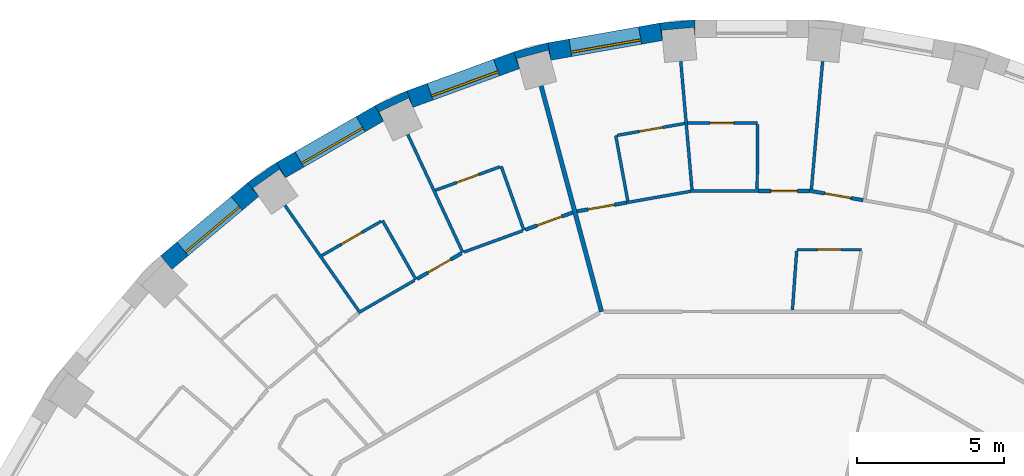
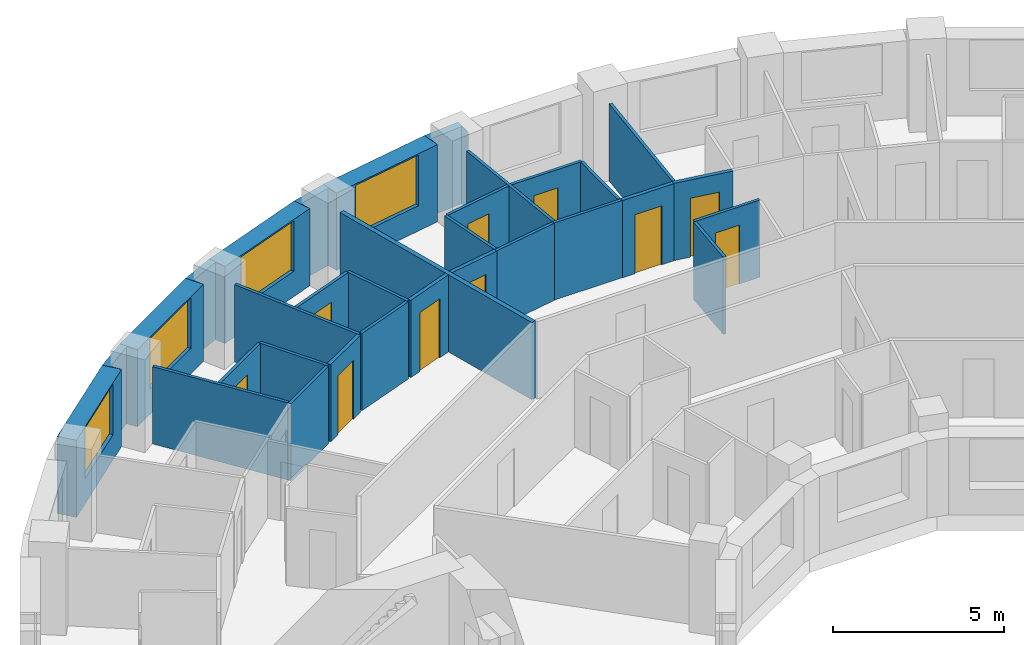
# One storey, part 10 of 14: 32 walls, 10 doors, 4 windows, 14 openings.
"""IFC4 building model written with IfcOpenShell, lengths in metres."""

from ifc_helpers import new_model, si_unit, direction, frame, frame_2d, origin, place, context, subcontext, project, spatial, polyline, rectangle, outline, extrude, material, layer, layer_set, type_object, element, fill, save


model = new_model("IFC4")

# Units and contexts
model_context = context("Model", 3, precision=1e-05, world=origin(), true_north=direction((0.0, 1.0)))
body_context = subcontext(model_context, "Body", "Model", "MODEL_VIEW")
ifc_project = project(units=[si_unit("LENGTHUNIT", "METRE"), si_unit("AREAUNIT", "SQUARE_METRE"), si_unit("VOLUMEUNIT", "CUBIC_METRE"), si_unit("PLANEANGLEUNIT", "RADIAN"), si_unit("MASSUNIT", "GRAM", prefix="KILO")], contexts=[model_context])

# Site, building, storey
site_placement = place(None, origin())
site = spatial("IfcSite", under=ifc_project, at=site_placement, CompositionType="ELEMENT")
building_placement = place(site_placement, origin())
building = spatial("IfcBuilding", under=site, at=building_placement, Name="Saqina Gate Tower", CompositionType="ELEMENT")
storey_placement = place(building_placement, frame((0.0, 0.0, 52.699951171875)))
storey = spatial("IfcBuildingStorey", under=building, at=storey_placement, Name="L14", CompositionType="ELEMENT", Elevation=52.699951171875)

# Walls
ifc_material_1 = material(Name="Brick masonry (red)", Category="masonry")
wall_type_1 = type_object("IfcWallType", Name="BRICK PIER COPING RED", PredefinedType="SOLIDWALL", material=ifc_material_1)
wall_1_placement = place(storey_placement, origin())
element("IfcWall", 1, at=wall_1_placement, inside=storey, type_object=wall_type_1, Name="Pier cap L14 column 10", PredefinedType="SOLIDWALL", context=body_context, shape_type="SweptSolid", body=[
    extrude(outline(polyline([(-1.9228515625, 28.8896484375), (-3.122802734375, 28.78466796875), (-3.018798828125, 28.19384765625), (-3.04931640625, 28.54296875), (-1.95361328125, 28.638671875), (-1.9228515625, 28.28955078125), (-1.9228515625, 28.8896484375)])), origin(), (0.0, 0.0, 1.0), 2.75),
])
wall_2_placement = place(storey_placement, origin())
element("IfcWall", 2, at=wall_2_placement, inside=storey, type_object=wall_type_1, Name="Pier cap L14 column 11", PredefinedType="SOLIDWALL", context=body_context, shape_type="SweptSolid", body=[
    extrude(outline(polyline([(-6.910400390625, 28.11669921875), (-8.073974609375, 27.80517578125), (-7.86865234375, 27.2412109375), (-7.95947265625, 27.57958984375), (-6.896728515625, 27.864501953125), (-6.80615234375, 27.52587890625), (-6.910400390625, 28.11669921875)])), origin(), (0.0, 0.0, 1.0), 2.75),
])
wall_3_placement = place(storey_placement, origin())
element("IfcWall", 3, at=wall_3_placement, inside=storey, type_object=wall_type_1, Name="Pier cap L14 column 12", PredefinedType="SOLIDWALL", context=body_context, shape_type="SweptSolid", body=[
    extrude(outline(polyline([(-12.779541015625, 25.980712890625), (-12.4794921875, 25.4609375), (-12.627685546875, 25.778564453125), (-11.630615234375, 26.243408203125), (-11.482666015625, 25.92578125), (-11.687744140625, 26.48974609375), (-12.779541015625, 25.980712890625)])), origin(), (0.0, 0.0, 1.0), 2.75),
])
wall_4_placement = place(storey_placement, origin())
element("IfcWall", 4, at=wall_4_placement, inside=storey, type_object=wall_type_1, Name="Pier cap L14 column 13", PredefinedType="SOLIDWALL", context=body_context, shape_type="SweptSolid", body=[
    extrude(outline(polyline([(-16.110107421875, 24.0576171875), (-17.096923828125, 23.36669921875), (-16.711181640625, 22.9072265625), (-16.912109375, 23.194091796875), (-16.010986328125, 23.8251953125), (-15.81005859375, 23.5380859375), (-16.110107421875, 24.0576171875)])), origin(), (0.0, 0.0, 1.0), 2.75),
])

# Wall, opening, window
ifc_material_2 = material(Name="Brick masonry (red)", Category="masonry")
ifc_layer_1 = layer(ifc_material_2, 0.60009765625)
ifc_layer_set_1 = layer_set([ifc_layer_1], Name="FW-BRICK-RED")
wall_type_2 = type_object("IfcWallType", Name="FW-BRICK-RED", PredefinedType="SOLIDWALL", material=ifc_layer_set_1)
wall_5_placement = place(storey_placement, frame((-3.07080078125, 28.4892578125, 0.0), z_axis=(0.0, 0.0, 1.0), x_axis=(-0.984800809218, -0.173687553279, 0.0)))
wall_5 = element("IfcWall", 5, at=wall_5_placement, inside=storey, type_object=wall_type_2, Name="Facade wall L14 facet 10", PredefinedType="SOLIDWALL", context=body_context, shape_type="SweptSolid", body=[
    extrude(rectangle(XDim=3.845703125, YDim=0.60009765625, at=frame_2d((1.9228515625, 0.0))), origin(), (0.0, 0.0, 1.0), 2.75),
])
opening_1_placement = place(wall_5_placement, frame((0.722900390625, 0.0, 0.89990234375)))
opening_1 = element("IfcOpeningElement", 6, at=opening_1_placement, cuts=wall_5, Name="Opening G03-W08", PredefinedType="OPENING", context=body_context, shape_type="SweptSolid", body=[
    extrude(rectangle(XDim=2.39990234375, YDim=1.800048828125, at=frame_2d((1.199951171875, 0.89990234375))), frame((0.0, 0.31201171875, 0.0), z_axis=(0.0, -1.0, 0.0), x_axis=(1.0, 0.0, 0.0)), (0.0, 0.0, 1.0), 0.6240234375),
])
ifc_material_3 = material(Name="Aluminium glazing", Category="aluminium")
window_type = type_object("IfcWindowType", Name="WN-A", PartitioningType="SINGLE_PANEL", PredefinedType="WINDOW", material=ifc_material_3)
window_1_placement = place(opening_1_placement, origin())
window_1 = element("IfcWindow", 7, at=window_1_placement, inside=storey, type_object=window_type, Name="Window L14 facet 10", OverallHeight=1.800048828125, OverallWidth=2.39990234375, PartitioningType="SINGLE_PANEL", PredefinedType="WINDOW", context=body_context, shape_type="SweptSolid", body=[
    extrude(rectangle(XDim=2.39990234375, YDim=1.800048828125, at=frame_2d((1.199951171875, 0.89990234375))), frame((0.0, 0.179931640625, 0.0), z_axis=(0.0, -1.0, 0.0), x_axis=(1.0, 0.0, 0.0)), (0.0, 0.0, 1.0), 0.06005859375),
])
fill(opening_1, window_1)

wall_6_placement = place(storey_placement, frame((-7.97119140625, 27.523193359375, 0.0), z_axis=(0.0, 0.0, 1.0), x_axis=(-0.939689588564, -0.342028474173, 0.0)))
wall_6 = element("IfcWall", 8, at=wall_6_placement, inside=storey, type_object=wall_type_2, Name="Facade wall L14 facet 11", PredefinedType="SOLIDWALL", context=body_context, shape_type="SweptSolid", body=[
    extrude(rectangle(XDim=3.845947265625, YDim=0.60009765625, at=frame_2d((1.9228515625, 0.0))), origin(), (0.0, 0.0, 1.0), 2.75),
])
opening_2_placement = place(wall_6_placement, frame((0.722900390625, 0.0, 0.89990234375)))
opening_2 = element("IfcOpeningElement", 9, at=opening_2_placement, cuts=wall_6, Name="Opening G03-W09", PredefinedType="OPENING", context=body_context, shape_type="SweptSolid", body=[
    extrude(rectangle(XDim=2.39990234375, YDim=1.800048828125, at=frame_2d((1.199951171875, 0.89990234375))), frame((0.0, 0.31201171875, 0.0), z_axis=(0.0, -1.0, 0.0), x_axis=(1.0, 0.0, 0.0)), (0.0, 0.0, 1.0), 0.6240234375),
])
window_2_placement = place(opening_2_placement, origin())
window_2 = element("IfcWindow", 10, at=window_2_placement, inside=storey, type_object=window_type, Name="Window L14 facet 11", OverallHeight=1.800048828125, OverallWidth=2.39990234375, PartitioningType="SINGLE_PANEL", PredefinedType="WINDOW", context=body_context, shape_type="SweptSolid", body=[
    extrude(rectangle(XDim=2.39990234375, YDim=1.800048828125, at=frame_2d((1.199951171875, 0.89990234375))), frame((0.0, 0.179931640625, 0.0), z_axis=(0.0, -1.0, 0.0), x_axis=(1.0, 0.0, 0.0)), (0.0, 0.0, 1.0), 0.06005859375),
])
fill(opening_2, window_2)

wall_7_placement = place(storey_placement, frame((-12.629638671875, 25.720703125, 0.0), z_axis=(0.0, 0.0, 1.0), x_axis=(-0.86603124159, -0.499989888488, 0.0)))
wall_7 = element("IfcWall", 11, at=wall_7_placement, inside=storey, type_object=wall_type_2, Name="Facade wall L14 facet 12", PredefinedType="SOLIDWALL", context=body_context, shape_type="SweptSolid", body=[
    extrude(rectangle(XDim=3.845703125, YDim=0.60009765625, at=frame_2d((1.9228515625, 0.0))), origin(), (0.0, 0.0, 1.0), 2.75),
])
opening_3_placement = place(wall_7_placement, frame((0.722900390625, 0.0, 0.89990234375)))
opening_3 = element("IfcOpeningElement", 12, at=opening_3_placement, cuts=wall_7, Name="Opening G03-W10", PredefinedType="OPENING", context=body_context, shape_type="SweptSolid", body=[
    extrude(rectangle(XDim=2.39990234375, YDim=1.800048828125, at=frame_2d((1.199951171875, 0.89990234375))), frame((0.0, 0.31201171875, 0.0), z_axis=(0.0, -1.0, 0.0), x_axis=(1.0, 0.0, 0.0)), (0.0, 0.0, 1.0), 0.6240234375),
])
window_3_placement = place(opening_3_placement, origin())
window_3 = element("IfcWindow", 13, at=window_3_placement, inside=storey, type_object=window_type, Name="Window L14 facet 12", OverallHeight=1.800048828125, OverallWidth=2.39990234375, PartitioningType="SINGLE_PANEL", PredefinedType="WINDOW", context=body_context, shape_type="SweptSolid", body=[
    extrude(rectangle(XDim=2.39990234375, YDim=1.800048828125, at=frame_2d((1.199951171875, 0.89990234375))), frame((0.0, 0.179931640625, 0.0), z_axis=(0.0, -1.0, 0.0), x_axis=(1.0, 0.0, 0.0)), (0.0, 0.0, 1.0), 0.06005859375),
])
fill(opening_3, window_3)

wall_8_placement = place(storey_placement, frame((-16.904052734375, 23.136962890625, 0.0), z_axis=(0.0, 0.0, 1.0), x_axis=(-0.766026164483, -0.642809392687, 0.0)))
wall_8 = element("IfcWall", 14, at=wall_8_placement, inside=storey, type_object=wall_type_2, Name="Facade wall L14 facet 13", PredefinedType="SOLIDWALL", context=body_context, shape_type="SweptSolid", body=[
    extrude(rectangle(XDim=3.845947265625, YDim=0.60009765625, at=frame_2d((1.9228515625, 0.0))), origin(), (0.0, 0.0, 1.0), 2.75),
])
opening_4_placement = place(wall_8_placement, frame((0.722900390625, 0.0, 0.89990234375)))
opening_4 = element("IfcOpeningElement", 15, at=opening_4_placement, cuts=wall_8, Name="Opening G03-W11", PredefinedType="OPENING", context=body_context, shape_type="SweptSolid", body=[
    extrude(rectangle(XDim=2.39990234375, YDim=1.800048828125, at=frame_2d((1.199951171875, 0.89990234375))), frame((0.0, 0.31201171875, 0.0), z_axis=(0.0, -1.0, 0.0), x_axis=(1.0, 0.0, 0.0)), (0.0, 0.0, 1.0), 0.6240234375),
])
window_4_placement = place(opening_4_placement, origin())
window_4 = element("IfcWindow", 16, at=window_4_placement, inside=storey, type_object=window_type, Name="Window L14 facet 13", OverallHeight=1.800048828125, OverallWidth=2.39990234375, PartitioningType="SINGLE_PANEL", PredefinedType="WINDOW", context=body_context, shape_type="SweptSolid", body=[
    extrude(rectangle(XDim=2.39990234375, YDim=1.800048828125, at=frame_2d((1.199951171875, 0.89990234375))), frame((0.0, 0.179931640625, 0.0), z_axis=(0.0, -1.0, 0.0), x_axis=(1.0, 0.0, 0.0)), (0.0, 0.0, 1.0), 0.06005859375),
])
fill(opening_4, window_4)

# Walls
ifc_material_4 = material(Name="Gypsum board on steel studs, 100 mm", Category="steel")
ifc_layer_2 = layer(ifc_material_4, 0.10009765625)
ifc_layer_set_2 = layer_set([ifc_layer_2], Name="PARTITION 100")
wall_type_3 = type_object("IfcWallType", Name="PARTITION 100", PredefinedType="PARTITIONING", material=ifc_layer_set_2)
wall_9_placement = place(storey_placement, frame((-2.404541015625, 27.485107421875, 0.0), z_axis=(0.0, 0.0, 1.0), x_axis=(0.087315535453, -0.996180705128, 0.0)))
element("IfcWall", 17, at=wall_9_placement, inside=storey, type_object=wall_type_3, Name="PARTITION PW3-01", PredefinedType="PARTITIONING", context=body_context, shape_type="SweptSolid", body=[
    extrude(rectangle(XDim=4.36181640625, YDim=0.10009765625, at=frame_2d((2.180908203125, 0.0))), origin(), (0.0, 0.0, 1.0), 2.75),
])
wall_10_placement = place(storey_placement, frame((-4.60888671875, 24.968994140625, 0.0), z_axis=(0.0, 0.0, 1.0), x_axis=(0.181195568125, -0.983447083524, 0.0)))
element("IfcWall", 18, at=wall_10_placement, inside=storey, type_object=wall_type_3, Name="PARTITION PW3-06", PredefinedType="PARTITIONING", context=body_context, shape_type="SweptSolid", body=[
    extrude(rectangle(XDim=2.250244140625, YDim=0.10009765625, at=frame_2d((1.125, 0.0))), origin(), (0.0, 0.0, 1.0), 2.75),
])
wall_11_placement = place(storey_placement, frame((-8.492919921875, 23.927978515625, 0.0), z_axis=(0.0, 0.0, 1.0), x_axis=(0.334695622164, -0.942326291952, 0.0)))
element("IfcWall", 19, at=wall_11_placement, inside=storey, type_object=wall_type_3, Name="PARTITION PW3-12", PredefinedType="PARTITIONING", context=body_context, shape_type="SweptSolid", body=[
    extrude(rectangle(XDim=2.300537109375, YDim=0.10009765625, at=frame_2d((1.150390625, 0.0))), origin(), (0.0, 0.0, 1.0), 2.75),
])
wall_12_placement = place(storey_placement, frame((-11.659912109375, 25.005126953125, 0.0), z_axis=(0.0, 0.0, 1.0), x_axis=(0.422658280027, -0.906289125127, 0.0)))
element("IfcWall", 20, at=wall_12_placement, inside=storey, type_object=wall_type_3, Name="PARTITION PW3-15", PredefinedType="PARTITIONING", context=body_context, shape_type="SweptSolid", body=[
    extrude(rectangle(XDim=4.41259765625, YDim=0.10009765625, at=frame_2d((2.206298828125, 0.0))), origin(), (0.0, 0.0, 1.0), 2.75),
])
wall_13_placement = place(storey_placement, frame((-12.51904296875, 22.090087890625, 0.0), z_axis=(0.0, 0.0, 1.0), x_axis=(0.49306078006, -0.869994866173, 0.0)))
element("IfcWall", 21, at=wall_13_placement, inside=storey, type_object=wall_type_3, Name="PARTITION PW3-18", PredefinedType="PARTITIONING", context=body_context, shape_type="SweptSolid", body=[
    extrude(rectangle(XDim=2.300048828125, YDim=0.10009765625, at=frame_2d((1.14990234375, 0.0))), origin(), (0.0, 0.0, 1.0), 2.75),
])
wall_14_placement = place(storey_placement, frame((-15.824951171875, 22.600341796875, 0.0), z_axis=(0.0, 0.0, 1.0), x_axis=(0.573326730149, -0.819326833746, 0.0)))
element("IfcWall", 22, at=wall_14_placement, inside=storey, type_object=wall_type_3, Name="PARTITION PW3-24", PredefinedType="PARTITIONING", context=body_context, shape_type="SweptSolid", body=[
    extrude(rectangle(XDim=4.349853515625, YDim=0.10009765625, at=frame_2d((2.1748046875, 0.0))), origin(), (0.0, 0.0, 1.0), 2.75),
])

# Wall, opening, door
wall_15_placement = place(storey_placement, frame((1.529052734375, 21.10009765625, 0.0), z_axis=(0.0, 0.0, 1.0), x_axis=(1.0, 0.0, 0.0)))
wall_15 = element("IfcWall", 23, at=wall_15_placement, inside=storey, type_object=wall_type_3, Name="PARTITION PW3-67", PredefinedType="PARTITIONING", context=body_context, shape_type="SweptSolid", body=[
    extrude(rectangle(XDim=2.19091796875, YDim=0.10009765625, at=frame_2d((1.095458984375, 0.0))), origin(), (0.0, 0.0, 1.0), 2.75),
])
opening_5_placement = place(wall_15_placement, frame((0.695556640625, 0.0, 0.0)))
opening_5 = element("IfcOpeningElement", 24, at=opening_5_placement, cuts=wall_15, Name="Opening G03-D15", PredefinedType="OPENING", context=body_context, shape_type="SweptSolid", body=[
    extrude(rectangle(XDim=0.800048828125, YDim=2.10009765625, at=frame_2d((0.39990234375, 1.050048828125))), frame((0.0, 0.06201171875, 0.0), z_axis=(0.0, -1.0, 0.0), x_axis=(1.0, 0.0, 0.0)), (0.0, 0.0, 1.0), 0.1240234375),
])
ifc_material_5 = material(Name="Timber door leaf, 800 mm", Category="wood")
door_type_1 = type_object("IfcDoorType", Name="DOOR 800 TIMBER", OperationType="SINGLE_SWING_LEFT", PredefinedType="DOOR", material=ifc_material_5)
door_1_placement = place(opening_5_placement, origin())
door_1 = element("IfcDoor", 25, at=door_1_placement, inside=storey, type_object=door_type_1, Name="DOOR G03-D15", OperationType="SINGLE_SWING_LEFT", OverallHeight=2.10009765625, OverallWidth=0.800048828125, PredefinedType="DOOR", context=body_context, shape_type="SweptSolid", body=[
    extrude(rectangle(XDim=0.800048828125, YDim=2.10009765625, at=frame_2d((0.39990234375, 1.050048828125))), frame((0.0, 0.02490234375, 0.0), z_axis=(0.0, -1.0, 0.0), x_axis=(1.0, 0.0, 0.0)), (0.0, 0.0, 1.0), 0.050048828125),
])
fill(opening_5, door_1)

# Wall
wall_16_placement = place(storey_placement, frame((-2.07080078125, 23.090087890625, 0.0), z_axis=(0.0, 0.0, 1.0), x_axis=(1.0, 0.0, 0.0)))
element("IfcWall", 26, at=wall_16_placement, inside=storey, type_object=wall_type_3, Name="PARTITION PW3-68", PredefinedType="PARTITIONING", context=body_context, shape_type="SweptSolid", body=[
    extrude(rectangle(XDim=2.305908203125, YDim=0.10009765625, at=frame_2d((1.15283203125, 0.0))), origin(), (0.0, 0.0, 1.0), 2.75),
])

# Wall, opening, door
wall_17_placement = place(storey_placement, frame((-2.1708984375, 25.389892578125, 0.0), z_axis=(0.0, 0.0, 1.0), x_axis=(1.0, 0.0, 0.0)))
wall_17 = element("IfcWall", 27, at=wall_17_placement, inside=storey, type_object=wall_type_3, Name="PARTITION PW3-69", PredefinedType="PARTITIONING", context=body_context, shape_type="SweptSolid", body=[
    extrude(rectangle(XDim=2.373779296875, YDim=0.10009765625, at=frame_2d((1.18701171875, 0.0))), origin(), (0.0, 0.0, 1.0), 2.75),
])
opening_6_placement = place(wall_17_placement, frame((0.761962890625, 0.0, 0.0)))
opening_6 = element("IfcOpeningElement", 28, at=opening_6_placement, cuts=wall_17, Name="Opening G03-D17", PredefinedType="OPENING", context=body_context, shape_type="SweptSolid", body=[
    extrude(rectangle(XDim=0.800048828125, YDim=2.10009765625, at=frame_2d((0.39990234375, 1.050048828125))), frame((0.0, 0.06201171875, 0.0), z_axis=(0.0, -1.0, 0.0), x_axis=(1.0, 0.0, 0.0)), (0.0, 0.0, 1.0), 0.1240234375),
])
door_2_placement = place(opening_6_placement, origin())
door_2 = element("IfcDoor", 29, at=door_2_placement, inside=storey, type_object=door_type_1, Name="DOOR G03-D17", OperationType="SINGLE_SWING_LEFT", OverallHeight=2.10009765625, OverallWidth=0.800048828125, PredefinedType="DOOR", context=body_context, shape_type="SweptSolid", body=[
    extrude(rectangle(XDim=0.800048828125, YDim=2.10009765625, at=frame_2d((0.39990234375, 1.050048828125))), frame((0.0, 0.02490234375, 0.0), z_axis=(0.0, -1.0, 0.0), x_axis=(1.0, 0.0, 0.0)), (0.0, 0.0, 1.0), 0.050048828125),
])
fill(opening_6, door_2)

# Wall
wall_18_placement = place(storey_placement, frame((-4.2412109375, 22.697998046875, 0.0), z_axis=(0.0, 0.0, 1.0), x_axis=(0.984822536066, 0.173564317922, 0.0)))
element("IfcWall", 30, at=wall_18_placement, inside=storey, type_object=wall_type_3, Name="PARTITION PW3-72", PredefinedType="PARTITIONING", context=body_context, shape_type="SweptSolid", body=[
    extrude(rectangle(XDim=2.20556640625, YDim=0.10009765625, at=frame_2d((1.102783203125, 0.0))), origin(), (0.0, 0.0, 1.0), 2.75),
])

# Wall, opening, door
wall_19_placement = place(storey_placement, frame((-4.559814453125, 24.977783203125, 0.0), z_axis=(0.0, 0.0, 1.0), x_axis=(0.984818426074, 0.173587636842, 0.0)))
wall_19 = element("IfcWall", 31, at=wall_19_placement, inside=storey, type_object=wall_type_3, Name="PARTITION PW3-73", PredefinedType="PARTITIONING", context=body_context, shape_type="SweptSolid", body=[
    extrude(rectangle(XDim=2.324951171875, YDim=0.10009765625, at=frame_2d((1.16259765625, 0.0))), origin(), (0.0, 0.0, 1.0), 2.75),
])
opening_7_placement = place(wall_19_placement, frame((0.762451171875, 0.0, 0.0)))
opening_7 = element("IfcOpeningElement", 32, at=opening_7_placement, cuts=wall_19, Name="Opening G03-D20", PredefinedType="OPENING", context=body_context, shape_type="SweptSolid", body=[
    extrude(rectangle(XDim=0.800048828125, YDim=2.10009765625, at=frame_2d((0.39990234375, 1.050048828125))), frame((0.0, 0.06201171875, 0.0), z_axis=(0.0, -1.0, 0.0), x_axis=(1.0, 0.0, 0.0)), (0.0, 0.0, 1.0), 0.1240234375),
])
door_3_placement = place(opening_7_placement, origin())
door_3 = element("IfcDoor", 33, at=door_3_placement, inside=storey, type_object=door_type_1, Name="DOOR G03-D20", OperationType="SINGLE_SWING_LEFT", OverallHeight=2.10009765625, OverallWidth=0.800048828125, PredefinedType="DOOR", context=body_context, shape_type="SweptSolid", body=[
    extrude(rectangle(XDim=0.800048828125, YDim=2.10009765625, at=frame_2d((0.39990234375, 1.050048828125))), frame((0.0, 0.02490234375, 0.0), z_axis=(0.0, -1.0, 0.0), x_axis=(1.0, 0.0, 0.0)), (0.0, 0.0, 1.0), 0.050048828125),
])
fill(opening_7, door_3)

# Wall
wall_20_placement = place(storey_placement, frame((-9.748046875, 21.023193359375, 0.0), z_axis=(0.0, 0.0, 1.0), x_axis=(0.939725675468, 0.341929312674, 0.0)))
element("IfcWall", 34, at=wall_20_placement, inside=storey, type_object=wall_type_3, Name="PARTITION PW3-76", PredefinedType="PARTITIONING", context=body_context, shape_type="SweptSolid", body=[
    extrude(rectangle(XDim=2.10498046875, YDim=0.10009765625, at=frame_2d((1.052490234375, 0.0))), origin(), (0.0, 0.0, 1.0), 2.75),
])

# Wall, opening, door
wall_21_placement = place(storey_placement, frame((-10.723876953125, 23.1162109375, 0.0), z_axis=(0.0, 0.0, 1.0), x_axis=(0.939716717369, 0.34195393125, 0.0)))
wall_21 = element("IfcWall", 35, at=wall_21_placement, inside=storey, type_object=wall_type_3, Name="PARTITION PW3-77", PredefinedType="PARTITIONING", context=body_context, shape_type="SweptSolid", body=[
    extrude(rectangle(XDim=2.323974609375, YDim=0.10009765625, at=frame_2d((1.162109375, 0.0))), origin(), (0.0, 0.0, 1.0), 2.75),
])
opening_8_placement = place(wall_21_placement, frame((0.761962890625, 0.0, 0.0)))
opening_8 = element("IfcOpeningElement", 36, at=opening_8_placement, cuts=wall_21, Name="Opening G03-D24", PredefinedType="OPENING", context=body_context, shape_type="SweptSolid", body=[
    extrude(rectangle(XDim=0.800048828125, YDim=2.10009765625, at=frame_2d((0.39990234375, 1.050048828125))), frame((0.0, 0.06201171875, 0.0), z_axis=(0.0, -1.0, 0.0), x_axis=(1.0, 0.0, 0.0)), (0.0, 0.0, 1.0), 0.1240234375),
])
door_4_placement = place(opening_8_placement, origin())
door_4 = element("IfcDoor", 37, at=door_4_placement, inside=storey, type_object=door_type_1, Name="DOOR G03-D24", OperationType="SINGLE_SWING_LEFT", OverallHeight=2.10009765625, OverallWidth=0.800048828125, PredefinedType="DOOR", context=body_context, shape_type="SweptSolid", body=[
    extrude(rectangle(XDim=0.800048828125, YDim=2.10009765625, at=frame_2d((0.39990234375, 1.050048828125))), frame((0.0, 0.02490234375, 0.0), z_axis=(0.0, -1.0, 0.0), x_axis=(1.0, 0.0, 0.0)), (0.0, 0.0, 1.0), 0.050048828125),
])
fill(opening_8, door_4)

# Wall
wall_22_placement = place(storey_placement, frame((-13.337890625, 18.960693359375, 0.0), z_axis=(0.0, 0.0, 1.0), x_axis=(0.865883187712, 0.500246244601, 0.0)))
element("IfcWall", 38, at=wall_22_placement, inside=storey, type_object=wall_type_3, Name="PARTITION PW3-87", PredefinedType="PARTITIONING", context=body_context, shape_type="SweptSolid", body=[
    extrude(rectangle(XDim=2.20556640625, YDim=0.10009765625, at=frame_2d((1.102783203125, 0.0))), origin(), (0.0, 0.0, 1.0), 2.75),
])

# Wall, opening, door
wall_23_placement = place(storey_placement, frame((-14.574951171875, 20.90234375, 0.0), z_axis=(0.0, 0.0, 1.0), x_axis=(0.865919666768, 0.50018309718, 0.0)))
wall_23 = element("IfcWall", 39, at=wall_23_placement, inside=storey, type_object=wall_type_3, Name="PARTITION PW3-88", PredefinedType="PARTITIONING", context=body_context, shape_type="SweptSolid", body=[
    extrude(rectangle(XDim=2.324462890625, YDim=0.10009765625, at=frame_2d((1.162109375, 0.0))), origin(), (0.0, 0.0, 1.0), 2.75),
])
opening_9_placement = place(wall_23_placement, frame((0.76220703125, 0.0, 0.0)))
opening_9 = element("IfcOpeningElement", 40, at=opening_9_placement, cuts=wall_23, Name="Opening G03-D28", PredefinedType="OPENING", context=body_context, shape_type="SweptSolid", body=[
    extrude(rectangle(XDim=0.800048828125, YDim=2.10009765625, at=frame_2d((0.39990234375, 1.050048828125))), frame((0.0, 0.06201171875, 0.0), z_axis=(0.0, -1.0, 0.0), x_axis=(1.0, 0.0, 0.0)), (0.0, 0.0, 1.0), 0.1240234375),
])
door_5_placement = place(opening_9_placement, origin())
door_5 = element("IfcDoor", 41, at=door_5_placement, inside=storey, type_object=door_type_1, Name="DOOR G03-D28", OperationType="SINGLE_SWING_RIGHT", OverallHeight=2.10009765625, OverallWidth=0.800048828125, PredefinedType="DOOR", context=body_context, shape_type="SweptSolid", body=[
    extrude(rectangle(XDim=0.800048828125, YDim=2.10009765625, at=frame_2d((0.39990234375, 1.050048828125))), frame((0.0, 0.02490234375, 0.0), z_axis=(0.0, -1.0, 0.0), x_axis=(1.0, 0.0, 0.0)), (0.0, 0.0, 1.0), 0.050048828125),
])
fill(opening_9, door_5)

# Walls
wall_24_placement = place(storey_placement, frame((2.025390625, 23.15234375, 0.0), z_axis=(0.0, 0.0, 1.0), x_axis=(0.087174609927, 0.996193047247, 0.0)))
element("IfcWall", 42, at=wall_24_placement, inside=storey, type_object=wall_type_3, Name="PARTITION PW3-127", PredefinedType="PARTITIONING", context=body_context, shape_type="SweptSolid", body=[
    extrude(rectangle(XDim=4.349365234375, YDim=0.10009765625, at=frame_2d((2.1748046875, 0.0))), origin(), (0.0, 0.0, 1.0), 2.75),
])
wall_25_placement = place(storey_placement, frame((1.381591796875, 19.062255859375, 0.0), z_axis=(0.0, 0.0, 1.0), x_axis=(0.072152400095, 0.997393618969, 0.0)))
element("IfcWall", 43, at=wall_25_placement, inside=storey, type_object=wall_type_3, Name="PARTITION PW3-128", PredefinedType="PARTITIONING", context=body_context, shape_type="SweptSolid", body=[
    extrude(rectangle(XDim=1.992919921875, YDim=0.10009765625, at=frame_2d((0.99658203125, 0.0))), origin(), (0.0, 0.0, 1.0), 2.75),
])
wall_26_placement = place(storey_placement, frame((0.185546875, 23.152587890625, 0.0), z_axis=(0.0, 0.0, 1.0), x_axis=(0.007812261592, 0.999969483819, 0.0)))
element("IfcWall", 44, at=wall_26_placement, inside=storey, type_object=wall_type_3, Name="PARTITION PW3-130", PredefinedType="PARTITIONING", context=body_context, shape_type="SweptSolid", body=[
    extrude(rectangle(XDim=2.1875, YDim=0.10009765625, at=frame_2d((1.09375, 0.0))), origin(), (0.0, 0.0, 1.0), 2.75),
])

# Wall, opening, door
ifc_material_6 = material(Name="Gypsum board on steel studs, 125 mm, fire rated", Category="steel")
ifc_layer_3 = layer(ifc_material_6, 0.125)
ifc_layer_set_3 = layer_set([ifc_layer_3], Name="PARTITION EI 30 125")
wall_type_4 = type_object("IfcWallType", Name="PARTITION EI 30 125", PredefinedType="PARTITIONING", material=ifc_layer_set_3)
wall_27_placement = place(storey_placement, frame((1.95751953125, 23.10107421875, 0.0), z_axis=(0.0, 0.0, 1.0), x_axis=(0.984778239754, -0.173815472575, 0.0)))
wall_27 = element("IfcWall", 45, at=wall_27_placement, inside=storey, type_object=wall_type_4, Name="PARTITION PW1-23", PredefinedType="PARTITIONING", context=body_context, shape_type="SweptSolid", body=[
    extrude(rectangle(XDim=1.848388671875, YDim=0.125, at=frame_2d((0.92431640625, 0.0))), origin(), (0.0, 0.0, 1.0), 2.75),
])
opening_10_placement = place(wall_27_placement, frame((0.531005859375, 0.0, 0.0)))
opening_10 = element("IfcOpeningElement", 46, at=opening_10_placement, cuts=wall_27, Name="Opening G03-D13", PredefinedType="OPENING", context=body_context, shape_type="SweptSolid", body=[
    extrude(rectangle(XDim=0.89990234375, YDim=2.10009765625, at=frame_2d((0.449951171875, 1.050048828125))), frame((0.0, 0.074462890625, 0.0), z_axis=(0.0, -1.0, 0.0), x_axis=(1.0, 0.0, 0.0)), (0.0, 0.0, 1.0), 0.14892578125),
])
ifc_material_7 = material(Name="Fire door leaf EI 30, 900 mm")
door_type_2 = type_object("IfcDoorType", Name="DOOR 900 EI 30", OperationType="SINGLE_SWING_LEFT", PredefinedType="DOOR", material=ifc_material_7)
door_6_placement = place(opening_10_placement, frame((0.89990234375, 0.0, 0.0), z_axis=(0.0, 0.0, 1.0), x_axis=(-1.0, 0.0, 0.0)))
door_6 = element("IfcDoor", 47, at=door_6_placement, inside=storey, type_object=door_type_2, Name="DOOR G03-D13", OperationType="SINGLE_SWING_RIGHT", OverallHeight=2.10009765625, OverallWidth=0.89990234375, PredefinedType="DOOR", context=body_context, shape_type="SweptSolid", body=[
    extrude(rectangle(XDim=0.89990234375, YDim=2.10009765625, at=frame_2d((0.449951171875, 1.050048828125))), frame((0.0, 0.02490234375, 0.0), z_axis=(0.0, -1.0, 0.0), x_axis=(1.0, 0.0, 0.0)), (0.0, 0.0, 1.0), 0.050048828125),
])
fill(opening_10, door_6)

wall_28_placement = place(storey_placement, frame((0.235107421875, 23.090087890625, 0.0), z_axis=(0.0, 0.0, 1.0), x_axis=(1.0, 0.0, 0.0)))
wall_28 = element("IfcWall", 48, at=wall_28_placement, inside=storey, type_object=wall_type_4, Name="PARTITION PW1-30", PredefinedType="PARTITIONING", context=body_context, shape_type="SweptSolid", body=[
    extrude(rectangle(XDim=1.722412109375, YDim=0.125, at=frame_2d((0.861328125, 0.0))), origin(), (0.0, 0.0, 1.0), 2.75),
])
opening_11_placement = place(wall_28_placement, frame((0.41748046875, 0.0, 0.0)))
opening_11 = element("IfcOpeningElement", 49, at=opening_11_placement, cuts=wall_28, Name="Opening G03-D16", PredefinedType="OPENING", context=body_context, shape_type="SweptSolid", body=[
    extrude(rectangle(XDim=0.89990234375, YDim=2.10009765625, at=frame_2d((0.449951171875, 1.050048828125))), frame((0.0, 0.074462890625, 0.0), z_axis=(0.0, -1.0, 0.0), x_axis=(1.0, 0.0, 0.0)), (0.0, 0.0, 1.0), 0.14892578125),
])
door_7_placement = place(opening_11_placement, frame((0.89990234375, 0.0, 0.0), z_axis=(0.0, 0.0, 1.0), x_axis=(-1.0, 0.0, 0.0)))
door_7 = element("IfcDoor", 50, at=door_7_placement, inside=storey, type_object=door_type_2, Name="DOOR G03-D16", OperationType="SINGLE_SWING_LEFT", OverallHeight=2.10009765625, OverallWidth=0.89990234375, PredefinedType="DOOR", context=body_context, shape_type="SweptSolid", body=[
    extrude(rectangle(XDim=0.89990234375, YDim=2.10009765625, at=frame_2d((0.449951171875, 1.050048828125))), frame((0.0, 0.02490234375, 0.0), z_axis=(0.0, -1.0, 0.0), x_axis=(1.0, 0.0, 0.0)), (0.0, 0.0, 1.0), 0.050048828125),
])
fill(opening_11, door_7)

wall_29_placement = place(storey_placement, frame((-5.925048828125, 22.401123046875, 0.0), z_axis=(0.0, 0.0, 1.0), x_axis=(0.984786433544, 0.173769043008, 0.0)))
wall_29 = element("IfcWall", 51, at=wall_29_placement, inside=storey, type_object=wall_type_4, Name="PARTITION PW1-32", PredefinedType="PARTITIONING", context=body_context, shape_type="SweptSolid", body=[
    extrude(rectangle(XDim=1.7099609375, YDim=0.125, at=frame_2d((0.85498046875, 0.0))), origin(), (0.0, 0.0, 1.0), 2.75),
])
opening_12_placement = place(wall_29_placement, frame((0.392578125, 0.0, 0.0)))
opening_12 = element("IfcOpeningElement", 52, at=opening_12_placement, cuts=wall_29, Name="Opening G03-D21", PredefinedType="OPENING", context=body_context, shape_type="SweptSolid", body=[
    extrude(rectangle(XDim=0.89990234375, YDim=2.10009765625, at=frame_2d((0.449951171875, 1.050048828125))), frame((0.0, 0.074462890625, 0.0), z_axis=(0.0, -1.0, 0.0), x_axis=(1.0, 0.0, 0.0)), (0.0, 0.0, 1.0), 0.14892578125),
])
door_8_placement = place(opening_12_placement, frame((0.89990234375, 0.0, 0.0), z_axis=(0.0, 0.0, 1.0), x_axis=(-1.0, 0.0, 0.0)))
door_8 = element("IfcDoor", 53, at=door_8_placement, inside=storey, type_object=door_type_2, Name="DOOR G03-D21", OperationType="SINGLE_SWING_RIGHT", OverallHeight=2.10009765625, OverallWidth=0.89990234375, PredefinedType="DOOR", context=body_context, shape_type="SweptSolid", body=[
    extrude(rectangle(XDim=0.89990234375, YDim=2.10009765625, at=frame_2d((0.449951171875, 1.050048828125))), frame((0.0, 0.02490234375, 0.0), z_axis=(0.0, -1.0, 0.0), x_axis=(1.0, 0.0, 0.0)), (0.0, 0.0, 1.0), 0.050048828125),
])
fill(opening_12, door_8)

wall_30_placement = place(storey_placement, frame((-7.676025390625, 21.777099609375, 0.0), z_axis=(0.0, 0.0, 1.0), x_axis=(0.939597315436, 0.342281879195, 0.0)))
wall_30 = element("IfcWall", 54, at=wall_30_placement, inside=storey, type_object=wall_type_4, Name="PARTITION PW1-34", PredefinedType="PARTITIONING", context=body_context, shape_type="SweptSolid", body=[
    extrude(rectangle(XDim=1.709716796875, YDim=0.125, at=frame_2d((0.85498046875, 0.0))), origin(), (0.0, 0.0, 1.0), 2.75),
])
opening_13_placement = place(wall_30_placement, frame((0.41748046875, 0.0, 0.0)))
opening_13 = element("IfcOpeningElement", 55, at=opening_13_placement, cuts=wall_30, Name="Opening G03-D22", PredefinedType="OPENING", context=body_context, shape_type="SweptSolid", body=[
    extrude(rectangle(XDim=0.89990234375, YDim=2.10009765625, at=frame_2d((0.449951171875, 1.050048828125))), frame((0.0, 0.074462890625, 0.0), z_axis=(0.0, -1.0, 0.0), x_axis=(1.0, 0.0, 0.0)), (0.0, 0.0, 1.0), 0.14892578125),
])
door_9_placement = place(opening_13_placement, frame((0.89990234375, 0.0, 0.0), z_axis=(0.0, 0.0, 1.0), x_axis=(-1.0, 0.0, 0.0)))
door_9 = element("IfcDoor", 56, at=door_9_placement, inside=storey, type_object=door_type_2, Name="DOOR G03-D22", OperationType="SINGLE_SWING_LEFT", OverallHeight=2.10009765625, OverallWidth=0.89990234375, PredefinedType="DOOR", context=body_context, shape_type="SweptSolid", body=[
    extrude(rectangle(XDim=0.89990234375, YDim=2.10009765625, at=frame_2d((0.449951171875, 1.050048828125))), frame((0.0, 0.02490234375, 0.0), z_axis=(0.0, -1.0, 0.0), x_axis=(1.0, 0.0, 0.0)), (0.0, 0.0, 1.0), 0.050048828125),
])
fill(opening_13, door_9)

wall_31_placement = place(storey_placement, frame((-11.341796875, 20.114013671875, 0.0), z_axis=(0.0, 0.0, 1.0), x_axis=(0.866288616225, 0.499543825303, 0.0)))
wall_31 = element("IfcWall", 57, at=wall_31_placement, inside=storey, type_object=wall_type_4, Name="PARTITION PW1-41", PredefinedType="PARTITIONING", context=body_context, shape_type="SweptSolid", body=[
    extrude(rectangle(XDim=1.7353515625, YDim=0.125, at=frame_2d((0.86767578125, 0.0))), origin(), (0.0, 0.0, 1.0), 2.75),
])
opening_14_placement = place(wall_31_placement, frame((0.417724609375, 0.0, 0.0)))
opening_14 = element("IfcOpeningElement", 58, at=opening_14_placement, cuts=wall_31, Name="Opening G03-D26", PredefinedType="OPENING", context=body_context, shape_type="SweptSolid", body=[
    extrude(rectangle(XDim=0.89990234375, YDim=2.10009765625, at=frame_2d((0.449951171875, 1.050048828125))), frame((0.0, 0.074462890625, 0.0), z_axis=(0.0, -1.0, 0.0), x_axis=(1.0, 0.0, 0.0)), (0.0, 0.0, 1.0), 0.14892578125),
])
door_10_placement = place(opening_14_placement, frame((0.89990234375, 0.0, 0.0), z_axis=(0.0, 0.0, 1.0), x_axis=(-1.0, 0.0, 0.0)))
door_10 = element("IfcDoor", 59, at=door_10_placement, inside=storey, type_object=door_type_2, Name="DOOR G03-D26", OperationType="SINGLE_SWING_LEFT", OverallHeight=2.10009765625, OverallWidth=0.89990234375, PredefinedType="DOOR", context=body_context, shape_type="SweptSolid", body=[
    extrude(rectangle(XDim=0.89990234375, YDim=2.10009765625, at=frame_2d((0.449951171875, 1.050048828125))), frame((0.0, 0.02490234375, 0.0), z_axis=(0.0, -1.0, 0.0), x_axis=(1.0, 0.0, 0.0)), (0.0, 0.0, 1.0), 0.050048828125),
])
fill(opening_14, door_10)

# Wall
ifc_material_8 = material(Name="Gypsum board on steel studs, 150 mm, fire rated", Category="steel")
ifc_layer_4 = layer(ifc_material_8, 0.14990234375)
ifc_layer_set_4 = layer_set([ifc_layer_4], Name="PARTITION EI 60 150")
wall_type_5 = type_object("IfcWallType", Name="PARTITION EI 60 150", PredefinedType="PARTITIONING", material=ifc_layer_set_4)
wall_32_placement = place(storey_placement, frame((-7.138427734375, 26.650634765625, 0.0), z_axis=(0.0, 0.0, 1.0), x_axis=(0.258510598433, -0.966008421546, 0.0)))
element("IfcWall", 60, at=wall_32_placement, inside=storey, type_object=wall_type_5, Name="PARTITION PW2-01", PredefinedType="PARTITIONING", context=body_context, shape_type="SweptSolid", body=[
    extrude(rectangle(XDim=7.919921875, YDim=0.14990234375, at=frame_2d((3.9599609375, 0.0))), origin(), (0.0, 0.0, 1.0), 2.75),
])

save(model, "model.ifc")
